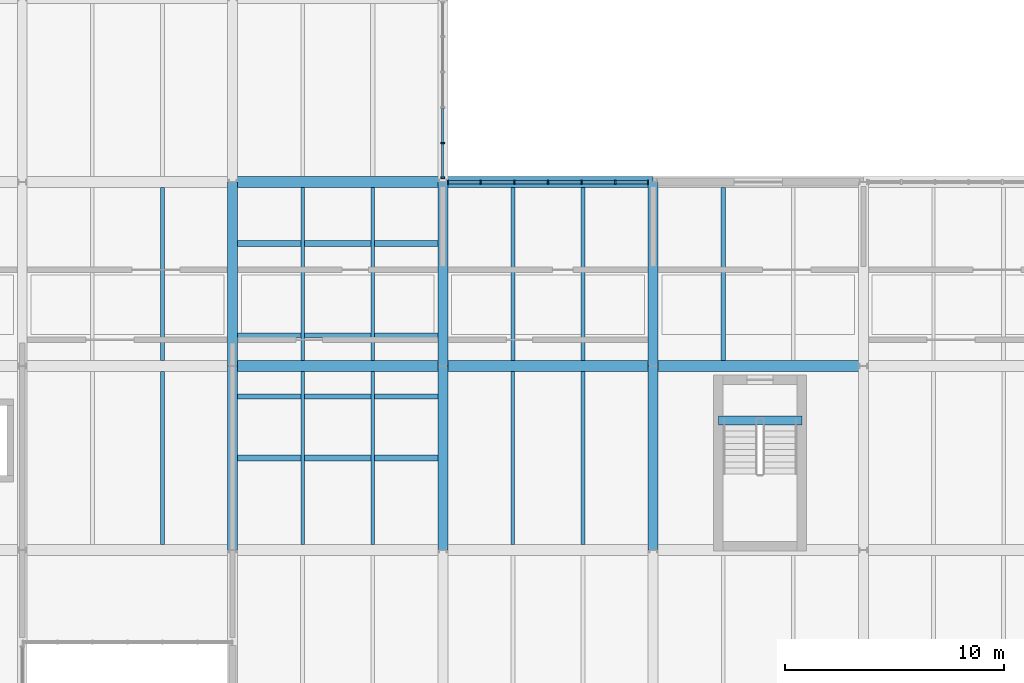
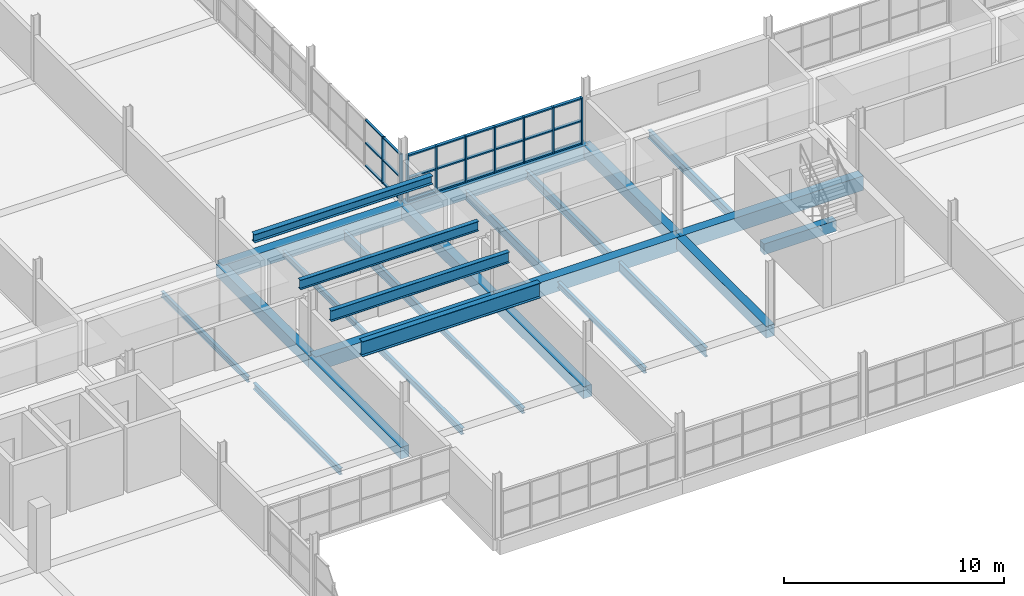
# One storey, part 46 of 147: 33 members, 27 beams, 2 elements without a shape of their own.
"""IFC4 building model written with IfcOpenShell, lengths in metres."""

from ifc_helpers import new_model, si_unit, direction, frame, origin, origin_2d, place, context, subcontext, project, spatial, rectangle, i_section, extrude, material, material_profile, profile_set, type_object, element, aggregate, save


model = new_model("IFC4")

# Units and contexts
model_context = context("Model", 3, precision=1e-05, world=origin(), true_north=direction((0.0, 1.0)))
body_context = subcontext(model_context, "Body", "Model", "MODEL_VIEW")
ifc_project = project(units=[si_unit("LENGTHUNIT", "METRE"), si_unit("AREAUNIT", "SQUARE_METRE"), si_unit("VOLUMEUNIT", "CUBIC_METRE"), si_unit("PLANEANGLEUNIT", "RADIAN"), si_unit("MASSUNIT", "GRAM", prefix="KILO")], contexts=[model_context])

# Site, building, storey
site_placement = place(None, origin())
site = spatial("IfcSite", under=ifc_project, at=site_placement, CompositionType="ELEMENT")
building_placement = place(site_placement, origin())
building = spatial("IfcBuilding", under=site, at=building_placement, Name="Oolite Switchyard Hospital", CompositionType="ELEMENT")
storey_placement = place(building_placement, frame((0.0, 0.0, 9.89990234375)))
storey = spatial("IfcBuildingStorey", under=building, at=storey_placement, Name="L02", CompositionType="ELEMENT", Elevation=9.89990234375)

# Beams
ifc_material_1 = material(Name="Concrete C40/50", Category="concrete")
ifc_material_profile_1 = material_profile(ifc_material_1, rectangle(XDim=0.39990234375, YDim=0.60009765625, at=origin_2d()), Name="RCB400X600")
ifc_profile_set_1 = profile_set([ifc_material_profile_1], Name="Concrete C40/50")
beam_type_1 = type_object("IfcBeamType", Name="BM-RC400X600", PredefinedType="BEAM", material=ifc_profile_set_1)
beam_1_placement = place(storey_placement, frame((89.375, 98.31005859375, -0.2998046875), z_axis=(1.0, 0.0, 0.0), x_axis=(0.0, 1.0, 0.0)))
element("IfcBeam", 1, at=beam_1_placement, inside=storey, type_object=beam_type_1, Name="L02 ST-09 Stair Throat Trimmer Beam", PredefinedType="BEAM", context=body_context, shape_type="SweptSolid", body=[
    extrude(rectangle(XDim=0.39990234375, YDim=0.60009765625, at=origin_2d()), origin(), (0.0, 0.0, 1.0), 3.81005859375),
])
ifc_material_profile_2 = material_profile(ifc_material_1, rectangle(XDim=0.449951171875, YDim=0.64990234375, at=origin_2d()), Name="RCB450X650")
ifc_profile_set_2 = profile_set([ifc_material_profile_2], Name="Concrete C40/50")
beam_type_2 = type_object("IfcBeamType", Name="BM-RC450X650", PredefinedType="BEAM", material=ifc_profile_set_2)
beam_2_placement = place(storey_placement, frame((67.199951171875, 92.39990234375, -0.324951171875), z_axis=(0.0, 1.0, 0.0), x_axis=(-1.0, 0.0, 0.0)))
element("IfcBeam", 2, at=beam_2_placement, inside=storey, type_object=beam_type_2, Name="L02 Y-Girder 1362", PredefinedType="BEAM", context=body_context, shape_type="SweptSolid", body=[
    extrude(rectangle(XDim=0.449951171875, YDim=0.64990234375, at=origin_2d()), origin(), (0.0, 0.0, 1.0), 8.400146484375),
])
beam_3_placement = place(storey_placement, frame((67.199951171875, 100.800048828125, -0.324951171875), z_axis=(0.0, 1.0, 0.0), x_axis=(-1.0, 0.0, 0.0)))
element("IfcBeam", 3, at=beam_3_placement, inside=storey, type_object=beam_type_2, Name="L02 Y-Girder 1363", PredefinedType="BEAM", context=body_context, shape_type="SweptSolid", body=[
    extrude(rectangle(XDim=0.449951171875, YDim=0.64990234375, at=origin_2d()), origin(), (0.0, 0.0, 1.0), 8.39990234375),
])
beam_4_placement = place(storey_placement, frame((76.800048828125, 92.39990234375, -0.324951171875), z_axis=(0.0, 1.0, 0.0), x_axis=(-1.0, 0.0, 0.0)))
element("IfcBeam", 4, at=beam_4_placement, inside=storey, type_object=beam_type_2, Name="L02 Y-Girder 1368", PredefinedType="BEAM", context=body_context, shape_type="SweptSolid", body=[
    extrude(rectangle(XDim=0.449951171875, YDim=0.64990234375, at=origin_2d()), origin(), (0.0, 0.0, 1.0), 8.400146484375),
])
beam_5_placement = place(storey_placement, frame((76.800048828125, 100.800048828125, -0.324951171875), z_axis=(0.0, 1.0, 0.0), x_axis=(-1.0, 0.0, 0.0)))
element("IfcBeam", 5, at=beam_5_placement, inside=storey, type_object=beam_type_2, Name="L02 Y-Girder 1369", PredefinedType="BEAM", context=body_context, shape_type="SweptSolid", body=[
    extrude(rectangle(XDim=0.449951171875, YDim=0.64990234375, at=origin_2d()), origin(), (0.0, 0.0, 1.0), 8.39990234375),
])
beam_6_placement = place(storey_placement, frame((86.39990234375, 92.39990234375, -0.324951171875), z_axis=(0.0, 1.0, 0.0), x_axis=(-1.0, 0.0, 0.0)))
element("IfcBeam", 6, at=beam_6_placement, inside=storey, type_object=beam_type_2, Name="L02 Y-Girder 1374", PredefinedType="BEAM", context=body_context, shape_type="SweptSolid", body=[
    extrude(rectangle(XDim=0.449951171875, YDim=0.64990234375, at=origin_2d()), origin(), (0.0, 0.0, 1.0), 8.400146484375),
])
beam_7_placement = place(storey_placement, frame((86.39990234375, 100.800048828125, -0.324951171875), z_axis=(0.0, 1.0, 0.0), x_axis=(-1.0, 0.0, 0.0)))
element("IfcBeam", 7, at=beam_7_placement, inside=storey, type_object=beam_type_2, Name="L02 Y-Girder 1375", PredefinedType="BEAM", context=body_context, shape_type="SweptSolid", body=[
    extrude(rectangle(XDim=0.449951171875, YDim=0.64990234375, at=origin_2d()), origin(), (0.0, 0.0, 1.0), 8.39990234375),
])
ifc_material_profile_3 = material_profile(ifc_material_1, rectangle(XDim=0.5, YDim=0.800048828125, at=origin_2d()), Name="RCB500X800")
ifc_profile_set_3 = profile_set([ifc_material_profile_3], Name="Concrete C40/50")
beam_type_3 = type_object("IfcBeamType", Name="BM-RC500X800", PredefinedType="BEAM", material=ifc_profile_set_3)
beam_8_placement = place(storey_placement, frame((67.199951171875, 100.800048828125, -0.39990234375), z_axis=(1.0, 0.0, 0.0), x_axis=(0.0, 1.0, 0.0)))
element("IfcBeam", 8, at=beam_8_placement, inside=storey, type_object=beam_type_3, Name="L02 X-Girder 1167", PredefinedType="BEAM", context=body_context, shape_type="SweptSolid", body=[
    extrude(rectangle(XDim=0.5, YDim=0.800048828125, at=origin_2d()), origin(), (0.0, 0.0, 1.0), 9.60009765625),
])
beam_9_placement = place(storey_placement, frame((76.800048828125, 100.800048828125, -0.39990234375), z_axis=(1.0, 0.0, 0.0), x_axis=(0.0, 1.0, 0.0)))
element("IfcBeam", 9, at=beam_9_placement, inside=storey, type_object=beam_type_3, Name="L02 X-Girder 1168", PredefinedType="BEAM", context=body_context, shape_type="SweptSolid", body=[
    extrude(rectangle(XDim=0.5, YDim=0.800048828125, at=origin_2d()), origin(), (0.0, 0.0, 1.0), 9.599853515625),
])
for number, where, z_axis, x_axis, name in (
    (10, (86.39990234375, 100.800048828125, -0.39990234375), (1.0, 0.0, 0.0), (0.0, 1.0, 0.0), "L02 X-Girder 1169"),
    (11, (67.199951171875, 109.199951171875, -0.39990234375), (1.0, 0.0, 0.0), (0.0, 1.0, 0.0), "L02 X-Girder 1188"),
):
    element("IfcBeam", number, at=place(storey_placement, frame(where, z_axis=z_axis, x_axis=x_axis)), inside=storey, type_object=beam_type_3, Name=name, PredefinedType="BEAM", context=body_context, shape_type="SweptSolid", body=[
        extrude(rectangle(XDim=0.5, YDim=0.800048828125, at=origin_2d()), origin(), (0.0, 0.0, 1.0), 9.60009765625),
    ])
beam_10_placement = place(storey_placement, frame((76.800048828125, 109.199951171875, -0.39990234375), z_axis=(1.0, 0.0, 0.0), x_axis=(0.0, 1.0, 0.0)))
element("IfcBeam", 12, at=beam_10_placement, inside=storey, type_object=beam_type_3, Name="L02 X-Girder 1189", PredefinedType="BEAM", context=body_context, shape_type="SweptSolid", body=[
    extrude(rectangle(XDim=0.5, YDim=0.800048828125, at=origin_2d()), origin(), (0.0, 0.0, 1.0), 9.599853515625),
])
ifc_material_2 = material(Name="Steel ASTM A992 Grade 50", Category="steel")
ifc_material_profile_4 = material_profile(ifc_material_2, i_section(OverallWidth=0.1650390625, OverallDepth=0.31005859375, WebThickness=0.006103515625, FlangeThickness=0.010009765625, at=origin_2d()), Name="W12X26")
ifc_profile_set_4 = profile_set([ifc_material_profile_4], Name="Steel ASTM A992 Grade 50")
beam_type_4 = type_object("IfcBeamType", Name="BM-W12X26", PredefinedType="JOIST", material=ifc_profile_set_4)
beam_11_placement = place(storey_placement, frame((64.0, 101.050048828125, -0.414794921875), z_axis=(0.0, 1.0, 0.0), x_axis=(-1.0, 0.0, 0.0)))
element("IfcBeam", 13, at=beam_11_placement, inside=storey, type_object=beam_type_4, Name="L02 Secondary Steel Joist 1691", PredefinedType="JOIST", context=body_context, shape_type="SweptSolid", body=[
    extrude(i_section(OverallWidth=0.1650390625, OverallDepth=0.31005859375, WebThickness=0.006103515625, FlangeThickness=0.010009765625, at=origin_2d()), origin(), (0.0, 0.0, 1.0), 7.89990234375),
])
beam_12_placement = place(storey_placement, frame((73.60009765625, 92.64990234375, -0.414794921875), z_axis=(0.0, 1.0, 0.0), x_axis=(-1.0, 0.0, 0.0)))
element("IfcBeam", 14, at=beam_12_placement, inside=storey, type_object=beam_type_4, Name="L02 Secondary Steel Joist 1701", PredefinedType="JOIST", context=body_context, shape_type="SweptSolid", body=[
    extrude(i_section(OverallWidth=0.1650390625, OverallDepth=0.31005859375, WebThickness=0.006103515625, FlangeThickness=0.010009765625, at=origin_2d()), origin(), (0.0, 0.0, 1.0), 7.900146484375),
])
beam_13_placement = place(storey_placement, frame((70.39990234375, 101.050048828125, -0.414794921875), z_axis=(0.0, 1.0, 0.0), x_axis=(-1.0, 0.0, 0.0)))
element("IfcBeam", 15, at=beam_13_placement, inside=storey, type_object=beam_type_4, Name="L02 Secondary Steel Joist 1702", PredefinedType="JOIST", context=body_context, shape_type="SweptSolid", body=[
    extrude(i_section(OverallWidth=0.1650390625, OverallDepth=0.31005859375, WebThickness=0.006103515625, FlangeThickness=0.010009765625, at=origin_2d()), origin(), (0.0, 0.0, 1.0), 7.89990234375),
])
beam_14_placement = place(storey_placement, frame((80.0, 92.64990234375, -0.414794921875), z_axis=(0.0, 1.0, 0.0), x_axis=(-1.0, 0.0, 0.0)))
element("IfcBeam", 16, at=beam_14_placement, inside=storey, type_object=beam_type_4, Name="L02 Secondary Steel Joist 1712", PredefinedType="JOIST", context=body_context, shape_type="SweptSolid", body=[
    extrude(i_section(OverallWidth=0.1650390625, OverallDepth=0.31005859375, WebThickness=0.006103515625, FlangeThickness=0.010009765625, at=origin_2d()), origin(), (0.0, 0.0, 1.0), 7.900146484375),
])
ifc_material_profile_5 = material_profile(ifc_material_2, i_section(OverallWidth=0.1708984375, OverallDepth=0.35107421875, WebThickness=0.007080078125, FlangeThickness=0.010009765625, at=origin_2d()), Name="W14X30")
ifc_profile_set_5 = profile_set([ifc_material_profile_5], Name="Steel ASTM A992 Grade 50")
beam_type_5 = type_object("IfcBeamType", Name="BM-W14X30", PredefinedType="JOIST", material=ifc_profile_set_5)
for number, where, z_axis, x_axis, name in (
    (17, (64.0, 92.64990234375, -0.434814453125), (0.0, 1.0, 0.0), (-1.0, 0.0, 0.0), "L02 Secondary Steel Joist 1689"),
    (18, (70.39990234375, 92.64990234375, -0.434814453125), (0.0, 1.0, 0.0), (-1.0, 0.0, 0.0), "L02 Secondary Steel Joist 1700"),
):
    element("IfcBeam", number, at=place(storey_placement, frame(where, z_axis=z_axis, x_axis=x_axis)), inside=storey, type_object=beam_type_5, Name=name, PredefinedType="JOIST", context=body_context, shape_type="SweptSolid", body=[
        extrude(i_section(OverallWidth=0.1708984375, OverallDepth=0.35107421875, WebThickness=0.007080078125, FlangeThickness=0.010009765625, at=origin_2d()), origin(), (0.0, 0.0, 1.0), 7.900146484375),
    ])
ifc_material_profile_6 = material_profile(ifc_material_2, i_section(OverallWidth=0.19091796875, OverallDepth=0.4599609375, WebThickness=0.010009765625, FlangeThickness=0.01611328125, at=origin_2d()), Name="W18X55")
ifc_profile_set_6 = profile_set([ifc_material_profile_6], Name="Steel ASTM A992 Grade 50")
beam_type_6 = type_object("IfcBeamType", Name="BM-W18X55", PredefinedType="JOIST", material=ifc_profile_set_6)
for number, where, z_axis, x_axis, name in (
    (19, (83.199951171875, 101.050048828125, -0.489990234375), (0.0, 1.0, 0.0), (-1.0, 0.0, 0.0), "L02 Secondary Steel Joist 1715"),
    (20, (89.60009765625, 101.050048828125, -0.489990234375), (0.0, 1.0, 0.0), (-1.0, 0.0, 0.0), "L02 Secondary Steel Joist 1718"),
):
    element("IfcBeam", number, at=place(storey_placement, frame(where, z_axis=z_axis, x_axis=x_axis)), inside=storey, type_object=beam_type_6, Name=name, PredefinedType="JOIST", context=body_context, shape_type="SweptSolid", body=[
        extrude(i_section(OverallWidth=0.19091796875, OverallDepth=0.4599609375, WebThickness=0.010009765625, FlangeThickness=0.01611328125, at=origin_2d()), origin(), (0.0, 0.0, 1.0), 7.89990234375),
    ])
ifc_material_profile_7 = material_profile(ifc_material_2, i_section(OverallWidth=0.280029296875, OverallDepth=0.462890625, WebThickness=0.010986328125, FlangeThickness=0.01708984375, at=origin_2d()), Name="W18X76")
ifc_profile_set_7 = profile_set([ifc_material_profile_7], Name="Steel ASTM A992 Grade 50")
beam_type_7 = type_object("IfcBeamType", Name="BM-W18X76", PredefinedType="BEAM", material=ifc_profile_set_7)
beam_15_placement = place(storey_placement, frame((67.31494140625, 106.39990234375, 3.068115234375), z_axis=(1.0, 0.0, 0.0), x_axis=(0.0, 1.0, 0.0)))
element("IfcBeam", 21, at=beam_15_placement, inside=storey, type_object=beam_type_7, Name="L02 Interstitial Equipment Trimmer Beam 4001", PredefinedType="BEAM", context=body_context, shape_type="SweptSolid", body=[
    extrude(i_section(OverallWidth=0.280029296875, OverallDepth=0.462890625, WebThickness=0.010986328125, FlangeThickness=0.01708984375, at=origin_2d()), origin(), (0.0, 0.0, 1.0), 9.3701171875),
])
ifc_material_profile_8 = material_profile(ifc_material_2, i_section(OverallWidth=0.166015625, OverallDepth=0.529052734375, WebThickness=0.010009765625, FlangeThickness=0.013916015625, at=origin_2d()), Name="W21X50")
ifc_profile_set_8 = profile_set([ifc_material_profile_8], Name="Steel ASTM A992 Grade 50")
beam_type_8 = type_object("IfcBeamType", Name="BM-W21X50", PredefinedType="JOIST", material=ifc_profile_set_8)
beam_16_placement = place(storey_placement, frame((73.60009765625, 101.050048828125, -0.52392578125), z_axis=(0.0, 1.0, 0.0), x_axis=(-1.0, 0.0, 0.0)))
element("IfcBeam", 22, at=beam_16_placement, inside=storey, type_object=beam_type_8, Name="L02 Secondary Steel Joist 1703", PredefinedType="JOIST", context=body_context, shape_type="SweptSolid", body=[
    extrude(i_section(OverallWidth=0.166015625, OverallDepth=0.529052734375, WebThickness=0.010009765625, FlangeThickness=0.013916015625, at=origin_2d()), origin(), (0.0, 0.0, 1.0), 7.89990234375),
])
beam_17_placement = place(storey_placement, frame((83.199951171875, 92.64990234375, -0.52392578125), z_axis=(0.0, 1.0, 0.0), x_axis=(-1.0, 0.0, 0.0)))
element("IfcBeam", 23, at=beam_17_placement, inside=storey, type_object=beam_type_8, Name="L02 Secondary Steel Joist 1713", PredefinedType="JOIST", context=body_context, shape_type="SweptSolid", body=[
    extrude(i_section(OverallWidth=0.166015625, OverallDepth=0.529052734375, WebThickness=0.010009765625, FlangeThickness=0.013916015625, at=origin_2d()), origin(), (0.0, 0.0, 1.0), 7.900146484375),
])
beam_18_placement = place(storey_placement, frame((80.0, 101.050048828125, -0.52392578125), z_axis=(0.0, 1.0, 0.0), x_axis=(-1.0, 0.0, 0.0)))
element("IfcBeam", 24, at=beam_18_placement, inside=storey, type_object=beam_type_8, Name="L02 Secondary Steel Joist 1714", PredefinedType="JOIST", context=body_context, shape_type="SweptSolid", body=[
    extrude(i_section(OverallWidth=0.166015625, OverallDepth=0.529052734375, WebThickness=0.010009765625, FlangeThickness=0.013916015625, at=origin_2d()), origin(), (0.0, 0.0, 1.0), 7.89990234375),
])
ifc_material_profile_9 = material_profile(ifc_material_2, i_section(OverallWidth=0.2099609375, OverallDepth=0.537109375, WebThickness=0.010986328125, FlangeThickness=0.01708984375, at=origin_2d()), Name="W21X68")
ifc_profile_set_9 = profile_set([ifc_material_profile_9], Name="Steel ASTM A992 Grade 50")
beam_type_9 = type_object("IfcBeamType", Name="BM-W21X68", PredefinedType="BEAM", material=ifc_profile_set_9)
beam_19_placement = place(storey_placement, frame((67.31494140625, 102.199951171875, 3.031982421875), z_axis=(1.0, 0.0, 0.0), x_axis=(0.0, 1.0, 0.0)))
element("IfcBeam", 25, at=beam_19_placement, inside=storey, type_object=beam_type_9, Name="L02 Interstitial Equipment Trimmer Beam 4000", PredefinedType="BEAM", context=body_context, shape_type="SweptSolid", body=[
    extrude(i_section(OverallWidth=0.2099609375, OverallDepth=0.537109375, WebThickness=0.010986328125, FlangeThickness=0.01708984375, at=origin_2d()), origin(), (0.0, 0.0, 1.0), 9.3701171875),
])
ifc_material_profile_10 = material_profile(ifc_material_2, i_section(OverallWidth=0.22802734375, OverallDepth=0.60302734375, WebThickness=0.010986328125, FlangeThickness=0.014892578125, at=origin_2d()), Name="W24X68")
ifc_profile_set_10 = profile_set([ifc_material_profile_10], Name="Steel ASTM A992 Grade 50")
beam_type_10 = type_object("IfcBeamType", Name="BM-W24X68", PredefinedType="BEAM", material=ifc_profile_set_10)
beam_20_placement = place(storey_placement, frame((67.31494140625, 99.39990234375, 2.998046875), z_axis=(1.0, 0.0, 0.0), x_axis=(0.0, 1.0, 0.0)))
element("IfcBeam", 26, at=beam_20_placement, inside=storey, type_object=beam_type_10, Name="L02 Interstitial Equipment Trimmer Beam 3999", PredefinedType="BEAM", context=body_context, shape_type="SweptSolid", body=[
    extrude(i_section(OverallWidth=0.22802734375, OverallDepth=0.60302734375, WebThickness=0.010986328125, FlangeThickness=0.014892578125, at=origin_2d()), origin(), (0.0, 0.0, 1.0), 9.3701171875),
])
ifc_material_profile_11 = material_profile(ifc_material_2, i_section(OverallWidth=0.2919921875, OverallDepth=0.841064453125, WebThickness=0.014892578125, FlangeThickness=0.02197265625, at=origin_2d()), Name="W33X130")
ifc_profile_set_11 = profile_set([ifc_material_profile_11], Name="Steel ASTM A992 Grade 50")
beam_type_11 = type_object("IfcBeamType", Name="BM-W33X130", PredefinedType="BEAM", material=ifc_profile_set_11)
beam_21_placement = place(storey_placement, frame((67.31494140625, 96.60009765625, 2.879150390625), z_axis=(1.0, 0.0, 0.0), x_axis=(0.0, 1.0, 0.0)))
element("IfcBeam", 27, at=beam_21_placement, inside=storey, type_object=beam_type_11, Name="L02 Interstitial Equipment Trimmer Beam 3998", PredefinedType="BEAM", context=body_context, shape_type="SweptSolid", body=[
    extrude(i_section(OverallWidth=0.2919921875, OverallDepth=0.841064453125, WebThickness=0.014892578125, FlangeThickness=0.02197265625, at=origin_2d()), origin(), (0.0, 0.0, 1.0), 9.3701171875),
])

# Curtain wall, members
ifc_material_3 = material(Name="Thermally broken aluminum frame with laminated impact glazing", Category="aluminium")
curtain_wall_type_1 = type_object("IfcCurtainWallType", Name="CW-UNIT-96X36", PredefinedType="USERDEFINED", material=ifc_material_3)
curtain_wall_1_placement = place(storey_placement, origin())
curtain_wall_1 = element("IfcCurtainWall", 28, at=curtain_wall_1_placement, inside=storey, type_object=curtain_wall_type_1, Name="L02 Unitised Curtain Wall 263", ObjectType="UNITISED", PredefinedType="USERDEFINED")
ifc_material_4 = material(Name="Aluminium 6063-T6", Category="aluminium")
ifc_material_profile_12 = material_profile(ifc_material_4, rectangle(XDim=0.179931640625, YDim=0.070068359375, at=origin_2d()), Name="CWM70X180")
ifc_profile_set_12 = profile_set([ifc_material_profile_12], Name="Aluminium 6063-T6")
member_type_1 = type_object("IfcMemberType", Name="CW-MUL-220", PredefinedType="MULLION", material=ifc_profile_set_12)
member_1_placement = place(storey_placement, frame((77.028076171875, 109.199951171875, 0.0), z_axis=(0.0, 0.0, 1.0), x_axis=(0.0, 1.0, 0.0)))
member_1 = element("IfcMember", 29, at=member_1_placement, type_object=member_type_1, Name="CW-03 mullion 1", PredefinedType="MULLION", context=body_context, shape_type="SweptSolid", body=[
    extrude(rectangle(XDim=0.179931640625, YDim=0.070068359375, at=origin_2d()), origin(), (0.0, 0.0, 1.0), 2.570068359375),
])
member_2_placement = place(storey_placement, frame((78.528564453125, 109.199951171875, 0.0), z_axis=(0.0, 0.0, 1.0), x_axis=(0.0, 1.0, 0.0)))
member_2 = element("IfcMember", 30, at=member_2_placement, type_object=member_type_1, Name="CW-03 mullion 2", PredefinedType="MULLION", context=body_context, shape_type="SweptSolid", body=[
    extrude(rectangle(XDim=0.179931640625, YDim=0.070068359375, at=origin_2d()), origin(), (0.0, 0.0, 1.0), 2.570068359375),
])
member_3_placement = place(storey_placement, frame((80.064453125, 109.199951171875, 0.0), z_axis=(0.0, 0.0, 1.0), x_axis=(0.0, 1.0, 0.0)))
member_3 = element("IfcMember", 31, at=member_3_placement, type_object=member_type_1, Name="CW-03 mullion 3", PredefinedType="MULLION", context=body_context, shape_type="SweptSolid", body=[
    extrude(rectangle(XDim=0.179931640625, YDim=0.070068359375, at=origin_2d()), origin(), (0.0, 0.0, 1.0), 2.570068359375),
])
member_4_placement = place(storey_placement, frame((81.60009765625, 109.199951171875, 0.0), z_axis=(0.0, 0.0, 1.0), x_axis=(0.0, 1.0, 0.0)))
member_4 = element("IfcMember", 32, at=member_4_placement, type_object=member_type_1, Name="CW-03 mullion 4", PredefinedType="MULLION", context=body_context, shape_type="SweptSolid", body=[
    extrude(rectangle(XDim=0.179931640625, YDim=0.070068359375, at=origin_2d()), origin(), (0.0, 0.0, 1.0), 2.570068359375),
])
member_5_placement = place(storey_placement, frame((83.1357421875, 109.199951171875, 0.0), z_axis=(0.0, 0.0, 1.0), x_axis=(0.0, 1.0, 0.0)))
member_5 = element("IfcMember", 33, at=member_5_placement, type_object=member_type_1, Name="CW-03 mullion 5", PredefinedType="MULLION", context=body_context, shape_type="SweptSolid", body=[
    extrude(rectangle(XDim=0.179931640625, YDim=0.070068359375, at=origin_2d()), origin(), (0.0, 0.0, 1.0), 2.570068359375),
])
member_6_placement = place(storey_placement, frame((84.67138671875, 109.199951171875, 0.0), z_axis=(0.0, 0.0, 1.0), x_axis=(0.0, 1.0, 0.0)))
member_6 = element("IfcMember", 34, at=member_6_placement, type_object=member_type_1, Name="CW-03 mullion 6", PredefinedType="MULLION", context=body_context, shape_type="SweptSolid", body=[
    extrude(rectangle(XDim=0.179931640625, YDim=0.070068359375, at=origin_2d()), origin(), (0.0, 0.0, 1.0), 2.570068359375),
])
member_7_placement = place(storey_placement, frame((86.172119140625, 109.199951171875, 0.0), z_axis=(0.0, 0.0, 1.0), x_axis=(0.0, 1.0, 0.0)))
member_7 = element("IfcMember", 35, at=member_7_placement, type_object=member_type_1, Name="CW-03 mullion 7", PredefinedType="MULLION", context=body_context, shape_type="SweptSolid", body=[
    extrude(rectangle(XDim=0.179931640625, YDim=0.070068359375, at=origin_2d()), origin(), (0.0, 0.0, 1.0), 2.570068359375),
])

curtain_wall_type_2 = type_object("IfcCurtainWallType", Name="CW-UNIT-84X36", PredefinedType="USERDEFINED", material=ifc_material_3)
curtain_wall_2_placement = place(storey_placement, origin())
curtain_wall_2 = element("IfcCurtainWall", 36, at=curtain_wall_2_placement, inside=storey, type_object=curtain_wall_type_2, Name="L02 Unitised Curtain Wall 290", ObjectType="UNITISED", PredefinedType="USERDEFINED")
member_8_placement = place(storey_placement, frame((76.800048828125, 110.9794921875, 0.0), z_axis=(0.0, 0.0, 1.0), x_axis=(1.0, 0.0, 0.0)))
member_8 = element("IfcMember", 37, at=member_8_placement, type_object=member_type_1, Name="CW-08 mullion 5", PredefinedType="MULLION", context=body_context, shape_type="SweptSolid", body=[
    extrude(rectangle(XDim=0.179931640625, YDim=0.070068359375, at=origin_2d()), origin(), (0.0, 0.0, 1.0), 2.570068359375),
])
member_9_placement = place(storey_placement, frame((76.800048828125, 109.39501953125, 0.0), z_axis=(0.0, 0.0, 1.0), x_axis=(1.0, 0.0, 0.0)))
member_9 = element("IfcMember", 38, at=member_9_placement, type_object=member_type_1, Name="CW-08 mullion 6", PredefinedType="MULLION", context=body_context, shape_type="SweptSolid", body=[
    extrude(rectangle(XDim=0.179931640625, YDim=0.070068359375, at=origin_2d()), origin(), (0.0, 0.0, 1.0), 2.570068359375),
])
ifc_material_profile_13 = material_profile(ifc_material_4, rectangle(XDim=0.1201171875, YDim=0.06005859375, at=origin_2d()), Name="CWT60X120")
ifc_profile_set_13 = profile_set([ifc_material_profile_13], Name="Aluminium 6063-T6")
member_type_2 = type_object("IfcMemberType", Name="CW-TRN-150", PredefinedType="USERDEFINED", material=ifc_profile_set_13)
member_10_placement = place(storey_placement, frame((76.800048828125, 112.564208984375, 0.030029296875), z_axis=(0.0, -1.0, 0.0), x_axis=(1.0, 0.0, 0.0)))
member_10 = element("IfcMember", 39, at=member_10_placement, type_object=member_type_2, Name="CW-08 transom 4.1", ObjectType="TRANSOM", PredefinedType="USERDEFINED", context=body_context, shape_type="SweptSolid", body=[
    extrude(rectangle(XDim=0.1201171875, YDim=0.06005859375, at=origin_2d()), origin(), (0.0, 0.0, 1.0), 1.549560546875),
])
member_11_placement = place(storey_placement, frame((76.800048828125, 112.564208984375, 1.28515625), z_axis=(0.0, -1.0, 0.0), x_axis=(1.0, 0.0, 0.0)))
member_11 = element("IfcMember", 40, at=member_11_placement, type_object=member_type_2, Name="CW-08 transom 4.2", ObjectType="TRANSOM", PredefinedType="USERDEFINED", context=body_context, shape_type="SweptSolid", body=[
    extrude(rectangle(XDim=0.1201171875, YDim=0.06005859375, at=origin_2d()), origin(), (0.0, 0.0, 1.0), 1.549560546875),
])
member_12_placement = place(storey_placement, frame((76.800048828125, 112.564208984375, 2.5400390625), z_axis=(0.0, -1.0, 0.0), x_axis=(1.0, 0.0, 0.0)))
member_12 = element("IfcMember", 41, at=member_12_placement, type_object=member_type_2, Name="CW-08 transom 4.3", ObjectType="TRANSOM", PredefinedType="USERDEFINED", context=body_context, shape_type="SweptSolid", body=[
    extrude(rectangle(XDim=0.1201171875, YDim=0.06005859375, at=origin_2d()), origin(), (0.0, 0.0, 1.0), 1.549560546875),
])
member_13_placement = place(storey_placement, frame((76.800048828125, 110.944580078125, 0.030029296875), z_axis=(0.0, -1.0, 0.0), x_axis=(1.0, 0.0, 0.0)))
member_13 = element("IfcMember", 42, at=member_13_placement, type_object=member_type_2, Name="CW-08 transom 5.1", ObjectType="TRANSOM", PredefinedType="USERDEFINED", context=body_context, shape_type="SweptSolid", body=[
    extrude(rectangle(XDim=0.1201171875, YDim=0.06005859375, at=origin_2d()), origin(), (0.0, 0.0, 1.0), 1.5146484375),
])
member_14_placement = place(storey_placement, frame((76.800048828125, 110.944580078125, 1.28515625), z_axis=(0.0, -1.0, 0.0), x_axis=(1.0, 0.0, 0.0)))
member_14 = element("IfcMember", 43, at=member_14_placement, type_object=member_type_2, Name="CW-08 transom 5.2", ObjectType="TRANSOM", PredefinedType="USERDEFINED", context=body_context, shape_type="SweptSolid", body=[
    extrude(rectangle(XDim=0.1201171875, YDim=0.06005859375, at=origin_2d()), origin(), (0.0, 0.0, 1.0), 1.5146484375),
])
member_15_placement = place(storey_placement, frame((76.800048828125, 110.944580078125, 2.5400390625), z_axis=(0.0, -1.0, 0.0), x_axis=(1.0, 0.0, 0.0)))
member_15 = element("IfcMember", 44, at=member_15_placement, type_object=member_type_2, Name="CW-08 transom 5.3", ObjectType="TRANSOM", PredefinedType="USERDEFINED", context=body_context, shape_type="SweptSolid", body=[
    extrude(rectangle(XDim=0.1201171875, YDim=0.06005859375, at=origin_2d()), origin(), (0.0, 0.0, 1.0), 1.5146484375),
])
aggregate(curtain_wall_2, [member_8, member_9, member_10, member_11, member_12, member_13, member_14, member_15])

# Member
ifc_material_profile_14 = material_profile(ifc_material_4, rectangle(XDim=0.159912109375, YDim=0.074951171875, at=origin_2d()), Name="CWT75X160")
ifc_profile_set_14 = profile_set([ifc_material_profile_14], Name="Aluminium 6063-T6")
member_type_3 = type_object("IfcMemberType", Name="CW-TRN-180", PredefinedType="USERDEFINED", material=ifc_profile_set_14)
member_16_placement = place(storey_placement, frame((77.06298828125, 109.199951171875, 0.03759765625), z_axis=(1.0, 0.0, 0.0), x_axis=(0.0, 1.0, 0.0)))
member_16 = element("IfcMember", 45, at=member_16_placement, type_object=member_type_3, Name="CW-03 transom 1.1", ObjectType="TRANSOM", PredefinedType="USERDEFINED", context=body_context, shape_type="SweptSolid", body=[
    extrude(rectangle(XDim=0.159912109375, YDim=0.074951171875, at=origin_2d()), origin(), (0.0, 0.0, 1.0), 1.4306640625),
])

member_17_placement = place(storey_placement, frame((77.06298828125, 109.199951171875, 1.28515625), z_axis=(1.0, 0.0, 0.0), x_axis=(0.0, 1.0, 0.0)))
member_17 = element("IfcMember", 46, at=member_17_placement, type_object=member_type_3, Name="CW-03 transom 1.2", ObjectType="TRANSOM", PredefinedType="USERDEFINED", context=body_context, shape_type="SweptSolid", body=[
    extrude(rectangle(XDim=0.159912109375, YDim=0.074951171875, at=origin_2d()), origin(), (0.0, 0.0, 1.0), 1.4306640625),
])

member_18_placement = place(storey_placement, frame((77.06298828125, 109.199951171875, 2.53271484375), z_axis=(1.0, 0.0, 0.0), x_axis=(0.0, 1.0, 0.0)))
member_18 = element("IfcMember", 47, at=member_18_placement, type_object=member_type_3, Name="CW-03 transom 1.3", ObjectType="TRANSOM", PredefinedType="USERDEFINED", context=body_context, shape_type="SweptSolid", body=[
    extrude(rectangle(XDim=0.159912109375, YDim=0.074951171875, at=origin_2d()), origin(), (0.0, 0.0, 1.0), 1.4306640625),
])

member_19_placement = place(storey_placement, frame((78.563720703125, 109.199951171875, 0.03759765625), z_axis=(1.0, 0.0, 0.0), x_axis=(0.0, 1.0, 0.0)))
member_19 = element("IfcMember", 48, at=member_19_placement, type_object=member_type_3, Name="CW-03 transom 2.1", ObjectType="TRANSOM", PredefinedType="USERDEFINED", context=body_context, shape_type="SweptSolid", body=[
    extrude(rectangle(XDim=0.159912109375, YDim=0.074951171875, at=origin_2d()), origin(), (0.0, 0.0, 1.0), 1.465576171875),
])

member_20_placement = place(storey_placement, frame((78.563720703125, 109.199951171875, 1.28515625), z_axis=(1.0, 0.0, 0.0), x_axis=(0.0, 1.0, 0.0)))
member_20 = element("IfcMember", 49, at=member_20_placement, type_object=member_type_3, Name="CW-03 transom 2.2", ObjectType="TRANSOM", PredefinedType="USERDEFINED", context=body_context, shape_type="SweptSolid", body=[
    extrude(rectangle(XDim=0.159912109375, YDim=0.074951171875, at=origin_2d()), origin(), (0.0, 0.0, 1.0), 1.465576171875),
])

member_21_placement = place(storey_placement, frame((78.563720703125, 109.199951171875, 2.53271484375), z_axis=(1.0, 0.0, 0.0), x_axis=(0.0, 1.0, 0.0)))
member_21 = element("IfcMember", 50, at=member_21_placement, type_object=member_type_3, Name="CW-03 transom 2.3", ObjectType="TRANSOM", PredefinedType="USERDEFINED", context=body_context, shape_type="SweptSolid", body=[
    extrude(rectangle(XDim=0.159912109375, YDim=0.074951171875, at=origin_2d()), origin(), (0.0, 0.0, 1.0), 1.465576171875),
])

member_22_placement = place(storey_placement, frame((80.099365234375, 109.199951171875, 0.03759765625), z_axis=(1.0, 0.0, 0.0), x_axis=(0.0, 1.0, 0.0)))
member_22 = element("IfcMember", 51, at=member_22_placement, type_object=member_type_3, Name="CW-03 transom 3.1", ObjectType="TRANSOM", PredefinedType="USERDEFINED", context=body_context, shape_type="SweptSolid", body=[
    extrude(rectangle(XDim=0.159912109375, YDim=0.074951171875, at=origin_2d()), origin(), (0.0, 0.0, 1.0), 1.465576171875),
])

member_23_placement = place(storey_placement, frame((80.099365234375, 109.199951171875, 1.28515625), z_axis=(1.0, 0.0, 0.0), x_axis=(0.0, 1.0, 0.0)))
member_23 = element("IfcMember", 52, at=member_23_placement, type_object=member_type_3, Name="CW-03 transom 3.2", ObjectType="TRANSOM", PredefinedType="USERDEFINED", context=body_context, shape_type="SweptSolid", body=[
    extrude(rectangle(XDim=0.159912109375, YDim=0.074951171875, at=origin_2d()), origin(), (0.0, 0.0, 1.0), 1.465576171875),
])

member_24_placement = place(storey_placement, frame((80.099365234375, 109.199951171875, 2.53271484375), z_axis=(1.0, 0.0, 0.0), x_axis=(0.0, 1.0, 0.0)))
member_24 = element("IfcMember", 53, at=member_24_placement, type_object=member_type_3, Name="CW-03 transom 3.3", ObjectType="TRANSOM", PredefinedType="USERDEFINED", context=body_context, shape_type="SweptSolid", body=[
    extrude(rectangle(XDim=0.159912109375, YDim=0.074951171875, at=origin_2d()), origin(), (0.0, 0.0, 1.0), 1.465576171875),
])

member_25_placement = place(storey_placement, frame((81.635009765625, 109.199951171875, 0.03759765625), z_axis=(1.0, 0.0, 0.0), x_axis=(0.0, 1.0, 0.0)))
member_25 = element("IfcMember", 54, at=member_25_placement, type_object=member_type_3, Name="CW-03 transom 4.1", ObjectType="TRANSOM", PredefinedType="USERDEFINED", context=body_context, shape_type="SweptSolid", body=[
    extrude(rectangle(XDim=0.159912109375, YDim=0.074951171875, at=origin_2d()), origin(), (0.0, 0.0, 1.0), 1.465576171875),
])

member_26_placement = place(storey_placement, frame((81.635009765625, 109.199951171875, 1.28515625), z_axis=(1.0, 0.0, 0.0), x_axis=(0.0, 1.0, 0.0)))
member_26 = element("IfcMember", 55, at=member_26_placement, type_object=member_type_3, Name="CW-03 transom 4.2", ObjectType="TRANSOM", PredefinedType="USERDEFINED", context=body_context, shape_type="SweptSolid", body=[
    extrude(rectangle(XDim=0.159912109375, YDim=0.074951171875, at=origin_2d()), origin(), (0.0, 0.0, 1.0), 1.465576171875),
])

member_27_placement = place(storey_placement, frame((81.635009765625, 109.199951171875, 2.53271484375), z_axis=(1.0, 0.0, 0.0), x_axis=(0.0, 1.0, 0.0)))
member_27 = element("IfcMember", 56, at=member_27_placement, type_object=member_type_3, Name="CW-03 transom 4.3", ObjectType="TRANSOM", PredefinedType="USERDEFINED", context=body_context, shape_type="SweptSolid", body=[
    extrude(rectangle(XDim=0.159912109375, YDim=0.074951171875, at=origin_2d()), origin(), (0.0, 0.0, 1.0), 1.465576171875),
])

member_28_placement = place(storey_placement, frame((83.170654296875, 109.199951171875, 0.03759765625), z_axis=(1.0, 0.0, 0.0), x_axis=(0.0, 1.0, 0.0)))
member_28 = element("IfcMember", 57, at=member_28_placement, type_object=member_type_3, Name="CW-03 transom 5.1", ObjectType="TRANSOM", PredefinedType="USERDEFINED", context=body_context, shape_type="SweptSolid", body=[
    extrude(rectangle(XDim=0.159912109375, YDim=0.074951171875, at=origin_2d()), origin(), (0.0, 0.0, 1.0), 1.465576171875),
])

member_29_placement = place(storey_placement, frame((83.170654296875, 109.199951171875, 1.28515625), z_axis=(1.0, 0.0, 0.0), x_axis=(0.0, 1.0, 0.0)))
member_29 = element("IfcMember", 58, at=member_29_placement, type_object=member_type_3, Name="CW-03 transom 5.2", ObjectType="TRANSOM", PredefinedType="USERDEFINED", context=body_context, shape_type="SweptSolid", body=[
    extrude(rectangle(XDim=0.159912109375, YDim=0.074951171875, at=origin_2d()), origin(), (0.0, 0.0, 1.0), 1.465576171875),
])

member_30_placement = place(storey_placement, frame((83.170654296875, 109.199951171875, 2.53271484375), z_axis=(1.0, 0.0, 0.0), x_axis=(0.0, 1.0, 0.0)))
member_30 = element("IfcMember", 59, at=member_30_placement, type_object=member_type_3, Name="CW-03 transom 5.3", ObjectType="TRANSOM", PredefinedType="USERDEFINED", context=body_context, shape_type="SweptSolid", body=[
    extrude(rectangle(XDim=0.159912109375, YDim=0.074951171875, at=origin_2d()), origin(), (0.0, 0.0, 1.0), 1.465576171875),
])

member_31_placement = place(storey_placement, frame((84.706298828125, 109.199951171875, 0.03759765625), z_axis=(1.0, 0.0, 0.0), x_axis=(0.0, 1.0, 0.0)))
member_31 = element("IfcMember", 60, at=member_31_placement, type_object=member_type_3, Name="CW-03 transom 6.1", ObjectType="TRANSOM", PredefinedType="USERDEFINED", context=body_context, shape_type="SweptSolid", body=[
    extrude(rectangle(XDim=0.159912109375, YDim=0.074951171875, at=origin_2d()), origin(), (0.0, 0.0, 1.0), 1.4306640625),
])

member_32_placement = place(storey_placement, frame((84.706298828125, 109.199951171875, 1.28515625), z_axis=(1.0, 0.0, 0.0), x_axis=(0.0, 1.0, 0.0)))
member_32 = element("IfcMember", 61, at=member_32_placement, type_object=member_type_3, Name="CW-03 transom 6.2", ObjectType="TRANSOM", PredefinedType="USERDEFINED", context=body_context, shape_type="SweptSolid", body=[
    extrude(rectangle(XDim=0.159912109375, YDim=0.074951171875, at=origin_2d()), origin(), (0.0, 0.0, 1.0), 1.4306640625),
])

member_33_placement = place(storey_placement, frame((84.706298828125, 109.199951171875, 2.53271484375), z_axis=(1.0, 0.0, 0.0), x_axis=(0.0, 1.0, 0.0)))
member_33 = element("IfcMember", 62, at=member_33_placement, type_object=member_type_3, Name="CW-03 transom 6.3", ObjectType="TRANSOM", PredefinedType="USERDEFINED", context=body_context, shape_type="SweptSolid", body=[
    extrude(rectangle(XDim=0.159912109375, YDim=0.074951171875, at=origin_2d()), origin(), (0.0, 0.0, 1.0), 1.4306640625),
])

aggregate(curtain_wall_1, [member_1, member_2, member_3, member_4, member_5, member_6, member_7, member_16, member_17, member_18, member_19, member_20, member_21, member_22, member_23, member_24, member_25, member_26, member_27, member_28, member_29, member_30, member_31, member_32, member_33])

save(model, "model.ifc")
